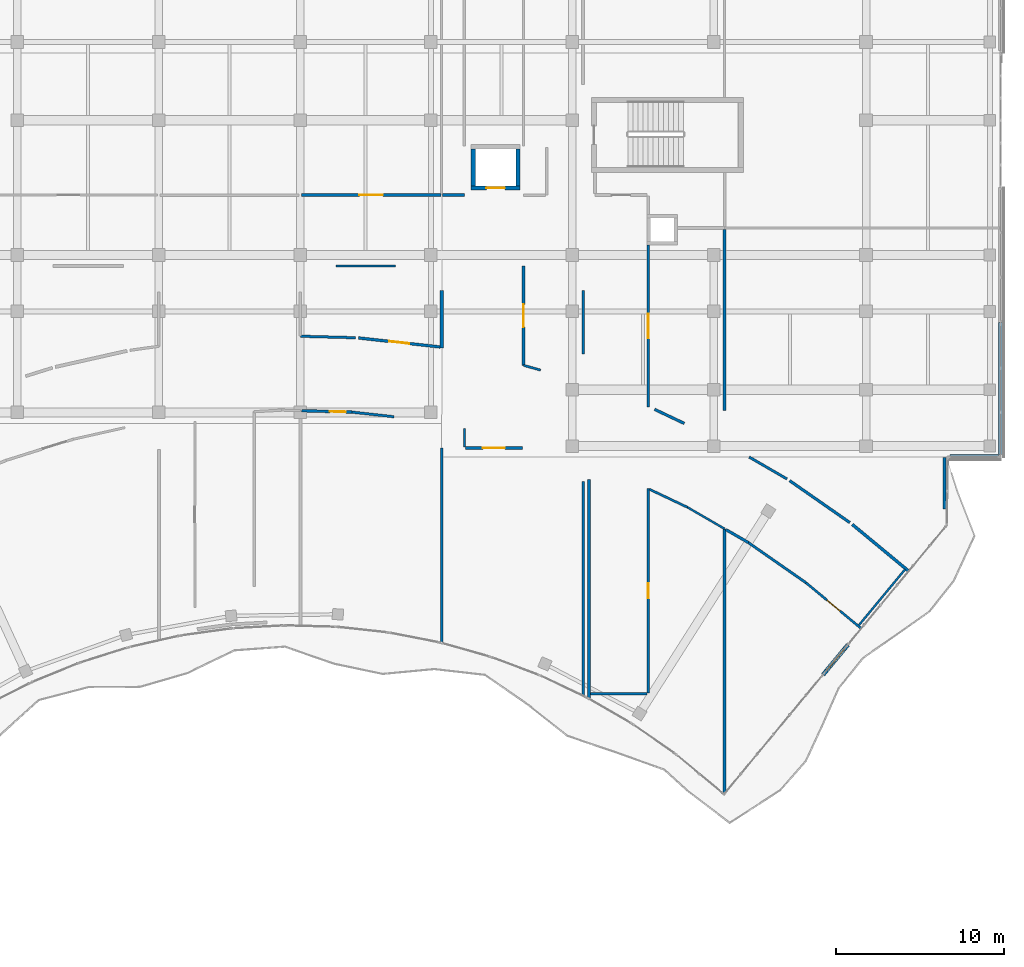
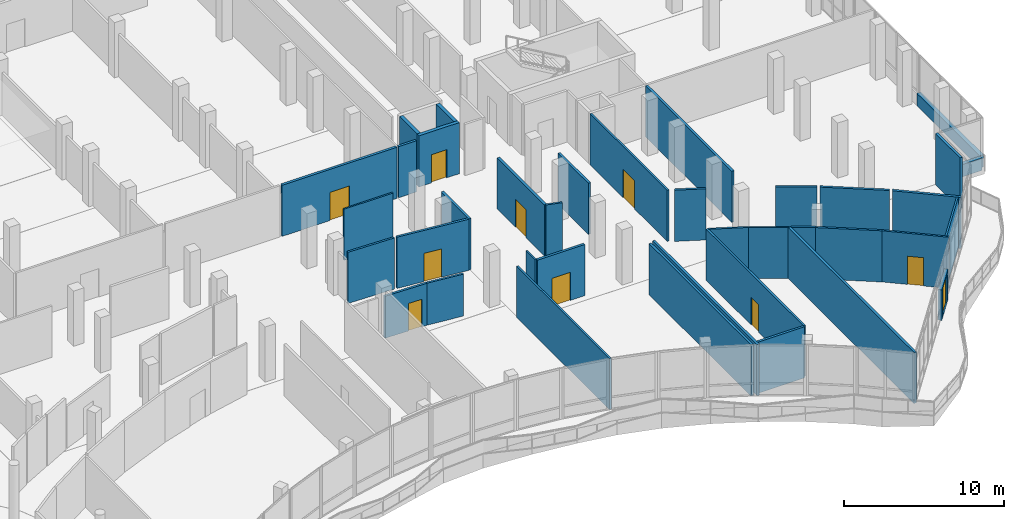
# One storey, part 170 of 184: 38 walls, 10 doors, 10 openings.
"""IFC4 building model written with IfcOpenShell, lengths in metres."""

from ifc_helpers import new_model, si_unit, direction, frame, frame_2d, origin, place, context, subcontext, project, spatial, rectangle, extrude, material, layer, layer_set, type_object, element, fill, save


model = new_model("IFC4")

# Units and contexts
model_context = context("Model", 3, precision=1e-05, world=origin(), true_north=direction((0.0, 1.0)))
body_context = subcontext(model_context, "Body", "Model", "MODEL_VIEW")
ifc_project = project(units=[si_unit("LENGTHUNIT", "METRE"), si_unit("AREAUNIT", "SQUARE_METRE"), si_unit("VOLUMEUNIT", "CUBIC_METRE"), si_unit("PLANEANGLEUNIT", "RADIAN"), si_unit("MASSUNIT", "GRAM", prefix="KILO")], contexts=[model_context])

# Site, building, storey
site_placement = place(None, origin())
site = spatial("IfcSite", under=ifc_project, at=site_placement, CompositionType="ELEMENT")
building_placement = place(site_placement, origin())
building = spatial("IfcBuilding", under=site, at=building_placement, Name="Selatvlak General Hospital", CompositionType="ELEMENT")
storey_placement = place(building_placement, frame((0.0, 0.0, 15.0)))
storey = spatial("IfcBuildingStorey", under=building, at=storey_placement, Name="L03", CompositionType="ELEMENT", Elevation=15.0)

# Walls
ifc_material_1 = material(Name="Precast concrete C40/50 - white Bauhaus spandrel", Category="concrete")
ifc_layer_1 = layer(ifc_material_1, 0.280029296875, Name="Precast concrete C40/50 - white Bauhaus spandrel", Category="concrete")
ifc_layer_set_1 = layer_set([ifc_layer_1], Name="Precast concrete C40/50 - white Bauhaus spandrel")
wall_type_1 = type_object("IfcWallType", Name="WALL-EW-02", PredefinedType="SOLIDWALL", material=ifc_layer_set_1)
wall_1_placement = place(storey_placement, frame((182.0, 71.9990234375, 0.0), z_axis=(0.0, 0.0, 1.0), x_axis=(0.0, -1.0, 0.0)))
element("IfcWall", 1, at=wall_1_placement, inside=storey, type_object=wall_type_1, Name="L03 Bauhaus spandrel sill wall 0383", PredefinedType="SOLIDWALL", context=body_context, shape_type="SweptSolid", body=[
    extrude(rectangle(XDim=7.85791015625, YDim=0.280029296875, at=frame_2d((3.928955078125, 0.0))), origin(), (0.0, 0.0, 1.0), 0.93994140625),
])
wall_2_placement = place(storey_placement, frame((181.860107421875, 64.0009765625, 0.0), z_axis=(0.0, 0.0, 1.0), x_axis=(-0.999999941708, -0.000341442575, 0.0)))
element("IfcWall", 2, at=wall_2_placement, inside=storey, type_object=wall_type_1, Name="L03 Bauhaus spandrel sill wall 0384", PredefinedType="SOLIDWALL", context=body_context, shape_type="SweptSolid", body=[
    extrude(rectangle(XDim=2.860107421875, YDim=0.280029296875, at=frame_2d((1.43017578125, 0.0))), origin(), (0.0, 0.0, 1.0), 0.93994140625),
])

# Wall, opening, door
ifc_material_2 = material(Name="Precast concrete C40/50 - white fair-faced", Category="concrete")
ifc_layer_2 = layer(ifc_material_2, 0.239990234375, Name="Precast concrete C40/50 - white fair-faced", Category="concrete")
ifc_layer_set_2 = layer_set([ifc_layer_2], Name="Precast concrete C40/50 - white fair-faced")
wall_type_2 = type_object("IfcWallType", Name="WALL-EW-04", PredefinedType="SOLIDWALL", material=ifc_layer_set_2)
wall_3_placement = place(storey_placement, frame((172.9150390625, 52.842041015625, 0.0), z_axis=(0.0, 0.0, 1.0), x_axis=(-0.637926137679, -0.770097554123, 0.0)))
wall_3 = element("IfcWall", 3, at=wall_3_placement, inside=storey, type_object=wall_type_2, Name="L03 S-curve glazed balcony door frame 0385", PredefinedType="SOLIDWALL", context=body_context, shape_type="SweptSolid", body=[
    extrude(rectangle(XDim=2.2998046875, YDim=0.239990234375, at=frame_2d((1.14990234375, 0.0))), origin(), (0.0, 0.0, 1.0), 2.320068359375),
])
opening_1_placement = place(wall_3_placement, frame((0.35009765625, 0.0, 0.0)))
opening_1 = element("IfcOpeningElement", 4, at=opening_1_placement, cuts=wall_3, Name="Opening DE-05", PredefinedType="OPENING", context=body_context, shape_type="SweptSolid", body=[
    extrude(rectangle(XDim=1.60009765625, YDim=2.199951171875, at=frame_2d((0.800048828125, 1.10009765625))), frame((0.0, 0.1298828125, 0.0), z_axis=(0.0, -1.0, 0.0), x_axis=(1.0, 0.0, 0.0)), (0.0, 0.0, 1.0), 0.260009765625),
])
ifc_material_3 = material(Name="Anodised aluminium balcony double door", Category="aluminium")
door_type_1 = type_object("IfcDoorType", Name="DOOR-DE-05", OperationType="DOUBLE_DOOR_SINGLE_SWING", PredefinedType="DOOR", material=ifc_material_3)
door_1_placement = place(opening_1_placement, origin())
door_1 = element("IfcDoor", 5, at=door_1_placement, inside=storey, type_object=door_type_1, Name="L03 clinic balcony double door 27", OperationType="DOUBLE_DOOR_SINGLE_SWING", OverallHeight=2.199951171875, OverallWidth=1.60009765625, PredefinedType="DOOR", context=body_context, shape_type="SweptSolid", body=[
    extrude(rectangle(XDim=1.60009765625, YDim=2.199951171875, at=frame_2d((0.800048828125, 1.10009765625))), frame((0.0, 0.02490234375, 0.0), z_axis=(0.0, -1.0, 0.0), x_axis=(1.0, 0.0, 0.0)), (0.0, 0.0, 1.0), 0.050048828125),
])
fill(opening_1, door_1)

# Wall
ifc_material_4 = material(Name="Acoustic gypsum stud partition")
ifc_layer_3 = layer(ifc_material_4, 0.179931640625, Name="Acoustic gypsum stud partition")
ifc_layer_set_3 = layer_set([ifc_layer_3], Name="Acoustic gypsum stud partition")
wall_type_3 = type_object("IfcWallType", Name="WALL-PT-01", PredefinedType="PARTITIONING", material=ifc_layer_set_3)
wall_4_placement = place(storey_placement, frame((148.800048828125, 73.887939453125, 0.0), z_axis=(0.0, 0.0, 1.0), x_axis=(0.0, -1.0, 0.0)))
element("IfcWall", 6, at=wall_4_placement, inside=storey, type_object=wall_type_3, Name="L03 clinical partition PT-L03-1515", PredefinedType="PARTITIONING", context=body_context, shape_type="SweptSolid", body=[
    extrude(rectangle(XDim=3.407958984375, YDim=0.179931640625, at=frame_2d((1.7041015625, 0.0))), origin(), (0.0, 0.0, 1.0), 3.89501953125),
])

# Wall, opening, door
wall_5_placement = place(storey_placement, frame((150.199951171875, 64.5400390625, 0.0), z_axis=(0.0, 0.0, 1.0), x_axis=(1.0, 0.0, 0.0)))
wall_5 = element("IfcWall", 7, at=wall_5_placement, inside=storey, type_object=wall_type_3, Name="L03 clinical partition PT-L03-1520", PredefinedType="PARTITIONING", context=body_context, shape_type="SweptSolid", body=[
    extrude(rectangle(XDim=3.400146484375, YDim=0.179931640625, at=frame_2d((1.7001953125, 0.0))), origin(), (0.0, 0.0, 1.0), 3.89501953125),
])
opening_2_placement = place(wall_5_placement, frame((1.050048828125, 0.0, 0.0)))
opening_2 = element("IfcOpeningElement", 8, at=opening_2_placement, cuts=wall_5, Name="Opening D-09", PredefinedType="OPENING", context=body_context, shape_type="SweptSolid", body=[
    extrude(rectangle(XDim=1.300048828125, YDim=2.14990234375, at=frame_2d((0.64990234375, 1.074951171875))), frame((0.0, 0.099853515625, 0.0), z_axis=(0.0, -1.0, 0.0), x_axis=(1.0, 0.0, 0.0)), (0.0, 0.0, 1.0), 0.199951171875),
])
ifc_material_5 = material(Name="Outpatient procedure door")
door_type_2 = type_object("IfcDoorType", Name="DOOR-D-09", OperationType="NOTDEFINED", PredefinedType="DOOR", material=ifc_material_5)
door_2_placement = place(opening_2_placement, origin())
door_2 = element("IfcDoor", 9, at=door_2_placement, inside=storey, type_object=door_type_2, Name="L03 Day Oncology Chemotherapy Lounge 25 door", OperationType="SINGLE_SWING_RIGHT", OverallHeight=2.14990234375, OverallWidth=1.300048828125, PredefinedType="DOOR", context=body_context, shape_type="SweptSolid", body=[
    extrude(rectangle(XDim=1.300048828125, YDim=2.14990234375, at=frame_2d((0.64990234375, 1.074951171875))), frame((0.0, 0.02490234375, 0.0), z_axis=(0.0, -1.0, 0.0), x_axis=(1.0, 0.0, 0.0)), (0.0, 0.0, 1.0), 0.050048828125),
])
fill(opening_2, door_2)

wall_6_placement = place(storey_placement, frame((153.659912109375, 69.447021484375, 0.0), z_axis=(0.0, 0.0, 1.0), x_axis=(0.0, 1.0, 0.0)))
wall_6 = element("IfcWall", 10, at=wall_6_placement, inside=storey, type_object=wall_type_3, Name="L03 clinical partition PT-L03-1524", PredefinedType="PARTITIONING", context=body_context, shape_type="SweptSolid", body=[
    extrude(rectangle(XDim=5.89306640625, YDim=0.179931640625, at=frame_2d((2.946533203125, 0.0))), origin(), (0.0, 0.0, 1.0), 3.89501953125),
])
opening_3_placement = place(wall_6_placement, frame((2.27197265625, 0.0, 0.0)))
opening_3 = element("IfcOpeningElement", 11, at=opening_3_placement, cuts=wall_6, Name="Opening D-10", PredefinedType="OPENING", context=body_context, shape_type="SweptSolid", body=[
    extrude(rectangle(XDim=1.35009765625, YDim=2.14990234375, at=frame_2d((0.675048828125, 1.074951171875))), frame((0.0, 0.099853515625, 0.0), z_axis=(0.0, -1.0, 0.0), x_axis=(1.0, 0.0, 0.0)), (0.0, 0.0, 1.0), 0.199951171875),
])
ifc_material_6 = material(Name="Single patient bed door")
door_type_3 = type_object("IfcDoorType", Name="DOOR-D-10", OperationType="NOTDEFINED", PredefinedType="DOOR", material=ifc_material_6)
door_3_placement = place(opening_3_placement, origin())
door_3 = element("IfcDoor", 12, at=door_3_placement, inside=storey, type_object=door_type_3, Name="L03 OT Laminar Flow AHU Plant 26 door", OperationType="SINGLE_SWING_LEFT", OverallHeight=2.14990234375, OverallWidth=1.35009765625, PredefinedType="DOOR", context=body_context, shape_type="SweptSolid", body=[
    extrude(rectangle(XDim=1.35009765625, YDim=2.14990234375, at=frame_2d((0.675048828125, 1.074951171875))), frame((0.0, 0.02490234375, 0.0), z_axis=(0.0, -1.0, 0.0), x_axis=(1.0, 0.0, 0.0)), (0.0, 0.0, 1.0), 0.050048828125),
])
fill(opening_3, door_3)

# Walls
wall_7_placement = place(storey_placement, frame((157.5400390625, 62.676025390625, 0.0), z_axis=(0.0, 0.0, 1.0), x_axis=(0.0, -1.0, 0.0)))
element("IfcWall", 13, at=wall_7_placement, inside=storey, type_object=wall_type_3, Name="L03 clinical partition PT-L03-1525", PredefinedType="PARTITIONING", context=body_context, shape_type="SweptSolid", body=[
    extrude(rectangle(XDim=13.02294921875, YDim=0.179931640625, at=frame_2d((6.511474609375, 0.0))), origin(), (0.0, 0.0, 1.0), 3.89501953125),
])
wall_8_placement = place(storey_placement, frame((165.60009765625, 59.736083984375, 0.0), z_axis=(0.0, 0.0, 1.0), x_axis=(0.0, -1.0, 0.0)))
element("IfcWall", 14, at=wall_8_placement, inside=storey, type_object=wall_type_3, Name="L03 clinical partition PT-L03-1530", PredefinedType="PARTITIONING", context=body_context, shape_type="SweptSolid", body=[
    extrude(rectangle(XDim=15.710205078125, YDim=0.179931640625, at=frame_2d((7.85498046875, 0.0))), origin(), (0.0, 0.0, 1.0), 3.89501953125),
])
wall_9_placement = place(storey_placement, frame((178.659912109375, 63.97509765625, 0.0), z_axis=(0.0, 0.0, 1.0), x_axis=(0.0, -1.0, 0.0)))
element("IfcWall", 15, at=wall_9_placement, inside=storey, type_object=wall_type_3, Name="L03 clinical partition PT-L03-1535", PredefinedType="PARTITIONING", context=body_context, shape_type="SweptSolid", body=[
    extrude(rectangle(XDim=3.071044921875, YDim=0.179931640625, at=frame_2d((1.53564453125, 0.0))), origin(), (0.0, 0.0, 1.0), 3.89501953125),
])
wall_10_placement = place(storey_placement, frame((176.530029296875, 57.22509765625, 0.0), z_axis=(0.0, 0.0, 1.0), x_axis=(-0.770266784752, 0.637721789112, 0.0)))
element("IfcWall", 16, at=wall_10_placement, inside=storey, type_object=wall_type_3, Name="L03 clinical partition PT-L03-1540", PredefinedType="PARTITIONING", context=body_context, shape_type="SweptSolid", body=[
    extrude(rectangle(XDim=4.34521484375, YDim=0.179931640625, at=frame_2d((2.172607421875, 0.0))), origin(), (0.0, 0.0, 1.0), 3.89501953125),
])

# Wall, opening, door
wall_11_placement = place(storey_placement, frame((148.743896484375, 79.56005859375, 0.0), z_axis=(0.0, 0.0, 1.0), x_axis=(-1.0, 0.0, 0.0)))
wall_11 = element("IfcWall", 17, at=wall_11_placement, inside=storey, type_object=wall_type_3, Name="L03 clinical partition PT-L03-1595", PredefinedType="PARTITIONING", context=body_context, shape_type="SweptSolid", body=[
    extrude(rectangle(XDim=8.265869140625, YDim=0.179931640625, at=frame_2d((4.1328125, 0.0))), origin(), (0.0, 0.0, 1.0), 3.89501953125),
])
opening_4_placement = place(wall_11_placement, frame((3.43310546875, 0.0, 0.0)))
opening_4 = element("IfcOpeningElement", 18, at=opening_4_placement, cuts=wall_11, Name="Opening D-11", PredefinedType="OPENING", context=body_context, shape_type="SweptSolid", body=[
    extrude(rectangle(XDim=1.39990234375, YDim=2.14990234375, at=frame_2d((0.699951171875, 1.074951171875))), frame((0.0, 0.099853515625, 0.0), z_axis=(0.0, -1.0, 0.0), x_axis=(1.0, 0.0, 0.0)), (0.0, 0.0, 1.0), 0.199951171875),
])
ifc_material_7 = material(Name="Inpatient suite bed door")
door_type_4 = type_object("IfcDoorType", Name="DOOR-D-11", OperationType="NOTDEFINED", PredefinedType="DOOR", material=ifc_material_7)
door_4_placement = place(opening_4_placement, origin())
door_4 = element("IfcDoor", 19, at=door_4_placement, inside=storey, type_object=door_type_4, Name="L03 Microbiology Serology Laboratory 44 door", OperationType="SINGLE_SWING_RIGHT", OverallHeight=2.14990234375, OverallWidth=1.39990234375, PredefinedType="DOOR", context=body_context, shape_type="SweptSolid", body=[
    extrude(rectangle(XDim=1.39990234375, YDim=2.14990234375, at=frame_2d((0.699951171875, 1.074951171875))), frame((0.0, 0.02490234375, 0.0), z_axis=(0.0, -1.0, 0.0), x_axis=(1.0, 0.0, 0.0)), (0.0, 0.0, 1.0), 0.050048828125),
])
fill(opening_4, door_4)

ifc_layer_4 = layer(ifc_material_4, 0.1650390625, Name="Acoustic gypsum stud partition")
ifc_layer_set_4 = layer_set([ifc_layer_4], Name="Acoustic gypsum stud partition")
wall_type_4 = type_object("IfcWallType", Name="WALL-PT-02", PredefinedType="PARTITIONING", material=ifc_layer_set_4)
wall_12_placement = place(storey_placement, frame((140.486083984375, 66.7509765625, 0.0), z_axis=(0.0, 0.0, 1.0), x_axis=(0.999611444096, -0.02787401714, 0.0)))
wall_12 = element("IfcWall", 20, at=wall_12_placement, inside=storey, type_object=wall_type_4, Name="L03 clinical partition PT-L03-1511", PredefinedType="PARTITIONING", context=body_context, shape_type="SweptSolid", body=[
    extrude(rectangle(XDim=2.97802734375, YDim=0.1650390625, at=frame_2d((1.489013671875, 0.0))), origin(), (0.0, 0.0, 1.0), 3.195068359375),
])
opening_5_placement = place(wall_12_placement, frame((1.6689453125, 0.0, 0.0)))
opening_5 = element("IfcOpeningElement", 21, at=opening_5_placement, cuts=wall_12, Name="Opening D-02", PredefinedType="OPENING", context=body_context, shape_type="SweptSolid", body=[
    extrude(rectangle(XDim=0.949951171875, YDim=2.10009765625, at=frame_2d((0.47509765625, 1.050048828125))), frame((0.0, 0.092529296875, 0.0), z_axis=(0.0, -1.0, 0.0), x_axis=(1.0, 0.0, 0.0)), (0.0, 0.0, 1.0), 0.18505859375),
])
ifc_material_8 = material(Name="Moisture-resistant en-suite door")
door_type_5 = type_object("IfcDoorType", Name="DOOR-D-02", OperationType="NOTDEFINED", PredefinedType="DOOR", material=ifc_material_8)
door_5_placement = place(opening_5_placement, origin())
door_5 = element("IfcDoor", 22, at=door_5_placement, inside=storey, type_object=door_type_5, Name="L03 Renal Haemodialysis Suite 23 door", OperationType="SINGLE_SWING_RIGHT", OverallHeight=2.10009765625, OverallWidth=0.949951171875, PredefinedType="DOOR", context=body_context, shape_type="SweptSolid", body=[
    extrude(rectangle(XDim=0.949951171875, YDim=2.10009765625, at=frame_2d((0.47509765625, 1.050048828125))), frame((0.0, 0.02490234375, 0.0), z_axis=(0.0, -1.0, 0.0), x_axis=(1.0, 0.0, 0.0)), (0.0, 0.0, 1.0), 0.050048828125),
])
fill(opening_5, door_5)

wall_13_placement = place(storey_placement, frame((148.714111328125, 70.533935546875, 0.0), z_axis=(0.0, 0.0, 1.0), x_axis=(-0.993917204148, 0.110129883764, 0.0)))
wall_13 = element("IfcWall", 23, at=wall_13_placement, inside=storey, type_object=wall_type_4, Name="L03 clinical partition PT-L03-1516", PredefinedType="PARTITIONING", context=body_context, shape_type="SweptSolid", body=[
    extrude(rectangle(XDim=4.885986328125, YDim=0.1650390625, at=frame_2d((2.44287109375, 0.0))), origin(), (0.0, 0.0, 1.0), 3.89501953125),
])
opening_6_placement = place(wall_13_placement, frame((1.843017578125, 0.0, 0.0)))
opening_6 = element("IfcOpeningElement", 24, at=opening_6_placement, cuts=wall_13, Name="Opening D-07", PredefinedType="OPENING", context=body_context, shape_type="SweptSolid", body=[
    extrude(rectangle(XDim=1.199951171875, YDim=2.14990234375, at=frame_2d((0.60009765625, 1.074951171875))), frame((0.0, 0.092529296875, 0.0), z_axis=(0.0, -1.0, 0.0), x_axis=(1.0, 0.0, 0.0)), (0.0, 0.0, 1.0), 0.18505859375),
])
ifc_material_9 = material(Name="Plant and store fire door")
door_type_6 = type_object("IfcDoorType", Name="DOOR-D-07", OperationType="NOTDEFINED", PredefinedType="DOOR", material=ifc_material_9)
door_6_placement = place(opening_6_placement, origin())
door_6 = element("IfcDoor", 25, at=door_6_placement, inside=storey, type_object=door_type_6, Name="L03 Hospital Transfusion Blood Bank 24 door", OperationType="SINGLE_SWING_LEFT", OverallHeight=2.14990234375, OverallWidth=1.199951171875, PredefinedType="DOOR", context=body_context, shape_type="SweptSolid", body=[
    extrude(rectangle(XDim=1.199951171875, YDim=2.14990234375, at=frame_2d((0.60009765625, 1.074951171875))), frame((0.0, 0.02490234375, 0.0), z_axis=(0.0, -1.0, 0.0), x_axis=(1.0, 0.0, 0.0)), (0.0, 0.0, 1.0), 0.050048828125),
])
fill(opening_6, door_6)

# Walls
wall_14_placement = place(storey_placement, frame((157.199951171875, 62.5380859375, 0.0), z_axis=(0.0, 0.0, 1.0), x_axis=(0.0, -1.0, 0.0)))
element("IfcWall", 26, at=wall_14_placement, inside=storey, type_object=wall_type_4, Name="L03 clinical partition PT-L03-1521", PredefinedType="PARTITIONING", context=body_context, shape_type="SweptSolid", body=[
    extrude(rectangle(XDim=12.715087890625, YDim=0.1650390625, at=frame_2d((6.357421875, 0.0))), origin(), (0.0, 0.0, 1.0), 3.89501953125),
])
wall_15_placement = place(storey_placement, frame((157.199951171875, 73.887939453125, 0.0), z_axis=(0.0, 0.0, 1.0), x_axis=(0.0, -1.0, 0.0)))
element("IfcWall", 27, at=wall_15_placement, inside=storey, type_object=wall_type_4, Name="L03 clinical partition PT-L03-1522", PredefinedType="PARTITIONING", context=body_context, shape_type="SweptSolid", body=[
    extrude(rectangle(XDim=3.77587890625, YDim=0.1650390625, at=frame_2d((1.887939453125, 0.0))), origin(), (0.0, 0.0, 1.0), 3.89501953125),
])
wall_16_placement = place(storey_placement, frame((157.6259765625, 49.93994140625, 0.0), z_axis=(0.0, 0.0, 1.0), x_axis=(1.0, 0.0, 0.0)))
element("IfcWall", 28, at=wall_16_placement, inside=storey, type_object=wall_type_4, Name="L03 clinical partition PT-L03-1526", PredefinedType="PARTITIONING", context=body_context, shape_type="SweptSolid", body=[
    extrude(rectangle(XDim=3.3740234375, YDim=0.1650390625, at=frame_2d((1.68701171875, 0.0))), origin(), (0.0, 0.0, 1.0), 3.89501953125),
])
wall_17_placement = place(storey_placement, frame((163.200927734375, 65.9970703125, 0.0), z_axis=(0.0, 0.0, 1.0), x_axis=(-0.903658874167, 0.428253008325, 0.0)))
element("IfcWall", 29, at=wall_17_placement, inside=storey, type_object=wall_type_4, Name="L03 clinical partition PT-L03-1531", PredefinedType="PARTITIONING", context=body_context, shape_type="SweptSolid", body=[
    extrude(rectangle(XDim=1.951904296875, YDim=0.1650390625, at=frame_2d((0.97607421875, 0.0))), origin(), (0.0, 0.0, 1.0), 3.89501953125),
])
wall_18_placement = place(storey_placement, frame((165.60009765625, 77.513916015625, 0.0), z_axis=(0.0, 0.0, 1.0), x_axis=(0.0, -1.0, 0.0)))
element("IfcWall", 30, at=wall_18_placement, inside=storey, type_object=wall_type_4, Name="L03 clinical partition PT-L03-1534", PredefinedType="PARTITIONING", context=body_context, shape_type="SweptSolid", body=[
    extrude(rectangle(XDim=10.751953125, YDim=0.1650390625, at=frame_2d((5.3759765625, 0.0))), origin(), (0.0, 0.0, 1.0), 3.89501953125),
])
wall_19_placement = place(storey_placement, frame((165.68603515625, 59.68603515625, 0.0), z_axis=(0.0, 0.0, 1.0), x_axis=(0.864985497408, -0.501796860565, 0.0)))
element("IfcWall", 31, at=wall_19_placement, inside=storey, type_object=wall_type_4, Name="L03 clinical partition PT-L03-1536", PredefinedType="PARTITIONING", context=body_context, shape_type="SweptSolid", body=[
    extrude(rectangle(XDim=1.530517578125, YDim=0.1650390625, at=frame_2d((0.76513671875, 0.0))), origin(), (0.0, 0.0, 1.0), 3.89501953125),
])
wall_20_placement = place(storey_placement, frame((173.035888671875, 60.10693359375, 0.0), z_axis=(0.0, 0.0, 1.0), x_axis=(-0.820574971601, 0.571538901547, 0.0)))
element("IfcWall", 32, at=wall_20_placement, inside=storey, type_object=wall_type_4, Name="L03 clinical partition PT-L03-1541", PredefinedType="PARTITIONING", context=body_context, shape_type="SweptSolid", body=[
    extrude(rectangle(XDim=4.356689453125, YDim=0.1650390625, at=frame_2d((2.17822265625, 0.0))), origin(), (0.0, 0.0, 1.0), 3.89501953125),
])
wall_21_placement = place(storey_placement, frame((150.139892578125, 79.56005859375, 0.0), z_axis=(0.0, 0.0, 1.0), x_axis=(-1.0, 0.0, 0.0)))
element("IfcWall", 33, at=wall_21_placement, inside=storey, type_object=wall_type_4, Name="L03 clinical partition PT-L03-1601", PredefinedType="PARTITIONING", context=body_context, shape_type="SweptSolid", body=[
    extrude(rectangle(XDim=1.283935546875, YDim=0.1650390625, at=frame_2d((0.64208984375, 0.0))), origin(), (0.0, 0.0, 1.0), 3.89501953125),
])
ifc_layer_5 = layer(ifc_material_4, 0.14990234375, Name="Acoustic gypsum stud partition")
ifc_layer_set_5 = layer_set([ifc_layer_5], Name="Acoustic gypsum stud partition")
wall_type_5 = type_object("IfcWallType", Name="WALL-PT-03", PredefinedType="PARTITIONING", material=ifc_layer_set_5)
wall_22_placement = place(storey_placement, frame((143.462890625, 66.66796875, 0.0), z_axis=(0.0, 0.0, 1.0), x_axis=(0.993938191899, -0.109940305095, 0.0)))
element("IfcWall", 34, at=wall_22_placement, inside=storey, type_object=wall_type_5, Name="L03 clinical partition PT-L03-1512", PredefinedType="PARTITIONING", context=body_context, shape_type="SweptSolid", body=[
    extrude(rectangle(XDim=2.50927734375, YDim=0.14990234375, at=frame_2d((1.254638671875, 0.0))), origin(), (0.0, 0.0, 1.0), 3.195068359375),
])
wall_23_placement = place(storey_placement, frame((143.676025390625, 71.083984375, 0.0), z_axis=(0.0, 0.0, 1.0), x_axis=(-0.999622135389, 0.02748793263, 0.0)))
element("IfcWall", 35, at=wall_23_placement, inside=storey, type_object=wall_type_5, Name="L03 clinical partition PT-L03-1517", PredefinedType="PARTITIONING", context=body_context, shape_type="SweptSolid", body=[
    extrude(rectangle(XDim=3.27734375, YDim=0.14990234375, at=frame_2d((1.638671875, 0.0))), origin(), (0.0, 0.0, 1.0), 3.89501953125),
])

# Wall, opening, door
wall_24_placement = place(storey_placement, frame((161.06005859375, 50.0, 0.0), z_axis=(0.0, 0.0, 1.0), x_axis=(0.0, 1.0, 0.0)))
wall_24 = element("IfcWall", 36, at=wall_24_placement, inside=storey, type_object=wall_type_5, Name="L03 clinical partition PT-L03-1527", PredefinedType="PARTITIONING", context=body_context, shape_type="SweptSolid", body=[
    extrude(rectangle(XDim=12.12109375, YDim=0.14990234375, at=frame_2d((6.060546875, 0.0))), origin(), (0.0, 0.0, 1.0), 3.89501953125),
])
opening_7_placement = place(wall_24_placement, frame((5.611083984375, 0.0, 0.0)))
opening_7 = element("IfcOpeningElement", 37, at=opening_7_placement, cuts=wall_24, Name="Opening D-01", PredefinedType="OPENING", context=body_context, shape_type="SweptSolid", body=[
    extrude(rectangle(XDim=0.89990234375, YDim=2.10009765625, at=frame_2d((0.449951171875, 1.050048828125))), frame((0.0, 0.0849609375, 0.0), z_axis=(0.0, -1.0, 0.0), x_axis=(1.0, 0.0, 0.0)), (0.0, 0.0, 1.0), 0.169921875),
])
ifc_material_10 = material(Name="Hardwood clinical room door", Category="wood")
door_type_7 = type_object("IfcDoorType", Name="DOOR-D-01", OperationType="NOTDEFINED", PredefinedType="DOOR", material=ifc_material_10)
door_7_placement = place(opening_7_placement, origin())
door_7 = element("IfcDoor", 38, at=door_7_placement, inside=storey, type_object=door_type_7, Name="L03 Oncology Aseptic Pharmacy 27 door", OperationType="SINGLE_SWING_RIGHT", OverallHeight=2.10009765625, OverallWidth=0.89990234375, PredefinedType="DOOR", context=body_context, shape_type="SweptSolid", body=[
    extrude(rectangle(XDim=0.89990234375, YDim=2.10009765625, at=frame_2d((0.449951171875, 1.050048828125))), frame((0.0, 0.02490234375, 0.0), z_axis=(0.0, -1.0, 0.0), x_axis=(1.0, 0.0, 0.0)), (0.0, 0.0, 1.0), 0.050048828125),
])
fill(opening_7, door_7)

# Walls
wall_25_placement = place(storey_placement, frame((167.010009765625, 58.91796875, 0.0), z_axis=(0.0, 0.0, 1.0), x_axis=(0.820562806153, -0.571556367437, 0.0)))
element("IfcWall", 39, at=wall_25_placement, inside=storey, type_object=wall_type_5, Name="L03 clinical partition PT-L03-1537", PredefinedType="PARTITIONING", context=body_context, shape_type="SweptSolid", body=[
    extrude(rectangle(XDim=4.1728515625, YDim=0.14990234375, at=frame_2d((2.08642578125, 0.0))), origin(), (0.0, 0.0, 1.0), 3.89501953125),
])
wall_26_placement = place(storey_placement, frame((169.306884765625, 62.696044921875, 0.0), z_axis=(0.0, 0.0, 1.0), x_axis=(-0.86512994763, 0.501547778097, 0.0)))
element("IfcWall", 40, at=wall_26_placement, inside=storey, type_object=wall_type_5, Name="L03 clinical partition PT-L03-1542", PredefinedType="PARTITIONING", context=body_context, shape_type="SweptSolid", body=[
    extrude(rectangle(XDim=2.595947265625, YDim=0.14990234375, at=frame_2d((1.2978515625, 0.0))), origin(), (0.0, 0.0, 1.0), 3.89501953125),
])
ifc_material_11 = material(Name="Moisture-resistant clinical partition")
ifc_layer_6 = layer(ifc_material_11, 0.135009765625, Name="Moisture-resistant clinical partition")
ifc_layer_set_6 = layer_set([ifc_layer_6], Name="Moisture-resistant clinical partition")
wall_type_6 = type_object("IfcWallType", Name="WALL-PT-04", PredefinedType="PARTITIONING", material=ifc_layer_set_6)
wall_27_placement = place(storey_placement, frame((148.800048828125, 64.5380859375, 0.0), z_axis=(0.0, 0.0, 1.0), x_axis=(0.0, -1.0, 0.0)))
element("IfcWall", 41, at=wall_27_placement, inside=storey, type_object=wall_type_6, Name="L03 clinical partition PT-L03-1513", PredefinedType="PARTITIONING", context=body_context, shape_type="SweptSolid", body=[
    extrude(rectangle(XDim=11.5771484375, YDim=0.135009765625, at=frame_2d((5.78857421875, 0.0))), origin(), (0.0, 0.0, 1.0), 3.89501953125),
])
wall_28_placement = place(storey_placement, frame((154.672119140625, 69.159912109375, 0.0), z_axis=(0.0, 0.0, 1.0), x_axis=(-0.962047568244, 0.272881799386, 0.0)))
element("IfcWall", 42, at=wall_28_placement, inside=storey, type_object=wall_type_6, Name="L03 clinical partition PT-L03-1523", PredefinedType="PARTITIONING", context=body_context, shape_type="SweptSolid", body=[
    extrude(rectangle(XDim=1.05224609375, YDim=0.135009765625, at=frame_2d((0.526123046875, 0.0))), origin(), (0.0, 0.0, 1.0), 3.89501953125),
])
wall_29_placement = place(storey_placement, frame((161.131103515625, 62.0869140625, 0.0), z_axis=(0.0, 0.0, 1.0), x_axis=(0.903698232971, -0.428169947247, 0.0)))
element("IfcWall", 43, at=wall_29_placement, inside=storey, type_object=wall_type_6, Name="L03 clinical partition PT-L03-1528", PredefinedType="PARTITIONING", context=body_context, shape_type="SweptSolid", body=[
    extrude(rectangle(XDim=2.510498046875, YDim=0.135009765625, at=frame_2d((1.25537109375, 0.0))), origin(), (0.0, 0.0, 1.0), 3.89501953125),
])

# Wall, opening, door
wall_30_placement = place(storey_placement, frame((161.06005859375, 66.98291015625, 0.0), z_axis=(0.0, 0.0, 1.0), x_axis=(0.0, 1.0, 0.0)))
wall_30 = element("IfcWall", 44, at=wall_30_placement, inside=storey, type_object=wall_type_6, Name="L03 clinical partition PT-L03-1532", PredefinedType="PARTITIONING", context=body_context, shape_type="SweptSolid", body=[
    extrude(rectangle(XDim=9.6201171875, YDim=0.135009765625, at=frame_2d((4.81005859375, 0.0))), origin(), (0.0, 0.0, 1.0), 3.89501953125),
])
opening_8_placement = place(wall_30_placement, frame((4.0849609375, 0.0, 0.0)))
opening_8 = element("IfcOpeningElement", 45, at=opening_8_placement, cuts=wall_30, Name="Opening D-12", PredefinedType="OPENING", context=body_context, shape_type="SweptSolid", body=[
    extrude(rectangle(XDim=1.449951171875, YDim=2.14990234375, at=frame_2d((0.72509765625, 1.074951171875))), frame((0.0, 0.077392578125, 0.0), z_axis=(0.0, -1.0, 0.0), x_axis=(1.0, 0.0, 0.0)), (0.0, 0.0, 1.0), 0.155029296875),
])
ifc_material_12 = material(Name="Isolation anteroom door")
door_type_8 = type_object("IfcDoorType", Name="DOOR-D-12", OperationType="NOTDEFINED", PredefinedType="DOOR", material=ifc_material_12)
door_8_placement = place(opening_8_placement, origin())
door_8 = element("IfcDoor", 46, at=door_8_placement, inside=storey, type_object=door_type_8, Name="L03 Medical Vacuum Plant Room 28 door", OperationType="SINGLE_SWING_LEFT", OverallHeight=2.14990234375, OverallWidth=1.449951171875, PredefinedType="DOOR", context=body_context, shape_type="SweptSolid", body=[
    extrude(rectangle(XDim=1.449951171875, YDim=2.14990234375, at=frame_2d((0.72509765625, 1.074951171875))), frame((0.0, 0.02490234375, 0.0), z_axis=(0.0, -1.0, 0.0), x_axis=(1.0, 0.0, 0.0)), (0.0, 0.0, 1.0), 0.050048828125),
])
fill(opening_8, door_8)

wall_31_placement = place(storey_placement, frame((170.43408203125, 56.532958984375, 0.0), z_axis=(0.0, 0.0, 1.0), x_axis=(0.770184287696, -0.637821419353, 0.0)))
wall_31 = element("IfcWall", 47, at=wall_31_placement, inside=storey, type_object=wall_type_6, Name="L03 clinical partition PT-L03-1538", PredefinedType="PARTITIONING", context=body_context, shape_type="SweptSolid", body=[
    extrude(rectangle(XDim=4.25341796875, YDim=0.135009765625, at=frame_2d((2.126708984375, 0.0))), origin(), (0.0, 0.0, 1.0), 3.89501953125),
])
opening_9_placement = place(wall_31_placement, frame((1.626953125, 0.0, 0.0)))
opening_9 = element("IfcOpeningElement", 48, at=opening_9_placement, cuts=wall_31, Name="Opening D-21", PredefinedType="OPENING", context=body_context, shape_type="SweptSolid", body=[
    extrude(rectangle(XDim=1.0, YDim=2.14990234375, at=frame_2d((0.5, 1.074951171875))), frame((0.0, 0.077392578125, 0.0), z_axis=(0.0, -1.0, 0.0), x_axis=(1.0, 0.0, 0.0)), (0.0, 0.0, 1.0), 0.155029296875),
])
ifc_material_13 = material(Name="Laboratory fire door")
door_type_9 = type_object("IfcDoorType", Name="DOOR-D-21", OperationType="NOTDEFINED", PredefinedType="DOOR", material=ifc_material_13)
door_9_placement = place(opening_9_placement, origin())
door_9 = element("IfcDoor", 49, at=door_9_placement, inside=storey, type_object=door_type_9, Name="L03 Renal Haemodialysis Suite 29 door", OperationType="SINGLE_SWING_RIGHT", OverallHeight=2.14990234375, OverallWidth=1.0, PredefinedType="DOOR", context=body_context, shape_type="SweptSolid", body=[
    extrude(rectangle(XDim=1.0, YDim=2.14990234375, at=frame_2d((0.5, 1.074951171875))), frame((0.0, 0.02490234375, 0.0), z_axis=(0.0, -1.0, 0.0), x_axis=(1.0, 0.0, 0.0)), (0.0, 0.0, 1.0), 0.050048828125),
])
fill(opening_9, door_9)

# Walls
ifc_layer_7 = layer(ifc_material_11, 0.1201171875, Name="Moisture-resistant clinical partition")
ifc_layer_set_7 = layer_set([ifc_layer_7], Name="Moisture-resistant clinical partition")
wall_type_7 = type_object("IfcWallType", Name="WALL-PT-05", PredefinedType="PARTITIONING", material=ifc_layer_set_7)
wall_32_placement = place(storey_placement, frame((142.508056640625, 75.340087890625, 0.0), z_axis=(0.0, 0.0, 1.0), x_axis=(1.0, 0.0, 0.0)))
element("IfcWall", 50, at=wall_32_placement, inside=storey, type_object=wall_type_7, Name="L03 clinical partition PT-L03-1514", PredefinedType="PARTITIONING", context=body_context, shape_type="SweptSolid", body=[
    extrude(rectangle(XDim=3.533935546875, YDim=0.1201171875, at=frame_2d((1.76708984375, 0.0))), origin(), (0.0, 0.0, 1.0), 3.89501953125),
])
wall_33_placement = place(storey_placement, frame((150.139892578125, 65.695068359375, 0.0), z_axis=(0.0, 0.0, 1.0), x_axis=(0.0, -1.0, 0.0)))
element("IfcWall", 51, at=wall_33_placement, inside=storey, type_object=wall_type_7, Name="L03 clinical partition PT-L03-1519", PredefinedType="PARTITIONING", context=body_context, shape_type="SweptSolid", body=[
    extrude(rectangle(XDim=1.094970703125, YDim=0.1201171875, at=frame_2d((0.54736328125, 0.0))), origin(), (0.0, 0.0, 1.0), 3.89501953125),
])
wall_34_placement = place(storey_placement, frame((163.39990234375, 61.011962890625, 0.0), z_axis=(0.0, 0.0, 1.0), x_axis=(0.865071180383, -0.501649133231, 0.0)))
element("IfcWall", 52, at=wall_34_placement, inside=storey, type_object=wall_type_7, Name="L03 clinical partition PT-L03-1529", PredefinedType="PARTITIONING", context=body_context, shape_type="SweptSolid", body=[
    extrude(rectangle(XDim=2.54345703125, YDim=0.1201171875, at=frame_2d((1.271728515625, 0.0))), origin(), (0.0, 0.0, 1.0), 3.89501953125),
])
wall_35_placement = place(storey_placement, frame((173.574951171875, 54.013916015625, 0.0), z_axis=(0.0, 0.0, 1.0), x_axis=(0.637654919924, 0.770322142416, 0.0)))
element("IfcWall", 53, at=wall_35_placement, inside=storey, type_object=wall_type_7, Name="L03 clinical partition PT-L03-1539", PredefinedType="PARTITIONING", context=body_context, shape_type="SweptSolid", body=[
    extrude(rectangle(XDim=4.296875, YDim=0.1201171875, at=frame_2d((2.1484375, 0.0))), origin(), (0.0, 0.0, 1.0), 3.89501953125),
])

# Wall, opening, door
ifc_material_14 = material(Name="Concrete C40/50", Category="concrete")
ifc_layer_8 = layer(ifc_material_14, 0.25, Name="Concrete C40/50", Category="concrete")
ifc_layer_set_8 = layer_set([ifc_layer_8], Name="Concrete C40/50")
wall_type_8 = type_object("IfcWallType", Name="WALL-SW-03", PredefinedType="SHEAR", material=ifc_layer_set_8)
wall_36_placement = place(storey_placement, frame((150.550048828125, 79.97509765625, 0.0), z_axis=(0.0, 0.0, 1.0), x_axis=(1.0, 0.0, 0.0)))
wall_36 = element("IfcWall", 54, at=wall_36_placement, inside=storey, type_object=wall_type_8, Name="Lift LP-04 shaft wall L03 S", PredefinedType="SHEAR", context=body_context, shape_type="SweptSolid", body=[
    extrude(rectangle(XDim=2.89990234375, YDim=0.25, at=frame_2d((1.449951171875, 0.0))), origin(), (0.0, 0.0, 1.0), 3.89501953125),
])
opening_10_placement = place(wall_36_placement, frame((0.89990234375, 0.0, 0.0)))
opening_10 = element("IfcOpeningElement", 55, at=opening_10_placement, cuts=wall_36, Name="Opening LD-P1", PredefinedType="OPENING", context=body_context, shape_type="SweptSolid", body=[
    extrude(rectangle(XDim=1.10009765625, YDim=2.14990234375, at=frame_2d((0.550048828125, 1.074951171875))), frame((0.0, 0.135009765625, 0.0), z_axis=(0.0, -1.0, 0.0), x_axis=(1.0, 0.0, 0.0)), (0.0, 0.0, 1.0), 0.27001953125),
])
ifc_material_15 = material(Name="Stainless steel passenger lift landing door", Category="steel")
door_type_10 = type_object("IfcDoorType", Name="DOOR-LD-P1", OperationType="DOUBLE_DOOR_SLIDING", PredefinedType="DOOR", material=ifc_material_15)
door_10_placement = place(opening_10_placement, origin())
door_10 = element("IfcDoor", 56, at=door_10_placement, inside=storey, type_object=door_type_10, Name="Lift LP-04 sliding landing door on L03", OperationType="DOUBLE_DOOR_SLIDING", OverallHeight=2.14990234375, OverallWidth=1.10009765625, PredefinedType="DOOR", context=body_context, shape_type="SweptSolid", body=[
    extrude(rectangle(XDim=1.10009765625, YDim=2.14990234375, at=frame_2d((0.550048828125, 1.074951171875))), frame((0.0, 0.02490234375, 0.0), z_axis=(0.0, -1.0, 0.0), x_axis=(1.0, 0.0, 0.0)), (0.0, 0.0, 1.0), 0.050048828125),
])
fill(opening_10, door_10)

# Walls
for number, where, z_axis, x_axis, name in (
    (57, (153.324951171875, 80.10009765625, 0.0), (0.0, 0.0, 1.0), (0.0, 1.0, 0.0), "Lift LP-04 shaft wall L03 E"),
    (58, (150.675048828125, 82.300048828125, 0.0), (0.0, 0.0, 1.0), (0.0, -1.0, 0.0), "Lift LP-04 shaft wall L03 W"),
):
    element("IfcWall", number, at=place(storey_placement, frame(where, z_axis=z_axis, x_axis=x_axis)), inside=storey, type_object=wall_type_8, Name=name, PredefinedType="SHEAR", context=body_context, shape_type="SweptSolid", body=[
        extrude(rectangle(XDim=2.199951171875, YDim=0.25, at=frame_2d((1.10009765625, 0.0))), origin(), (0.0, 0.0, 1.0), 3.89501953125),
    ])

save(model, "model.ifc")
